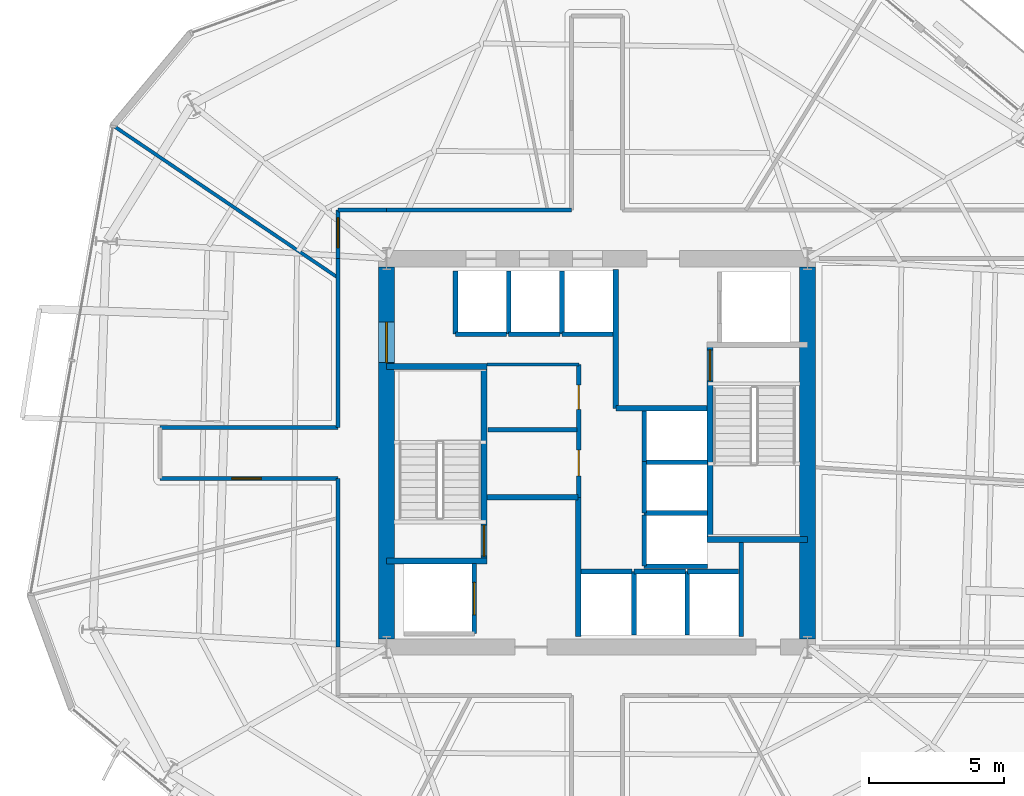
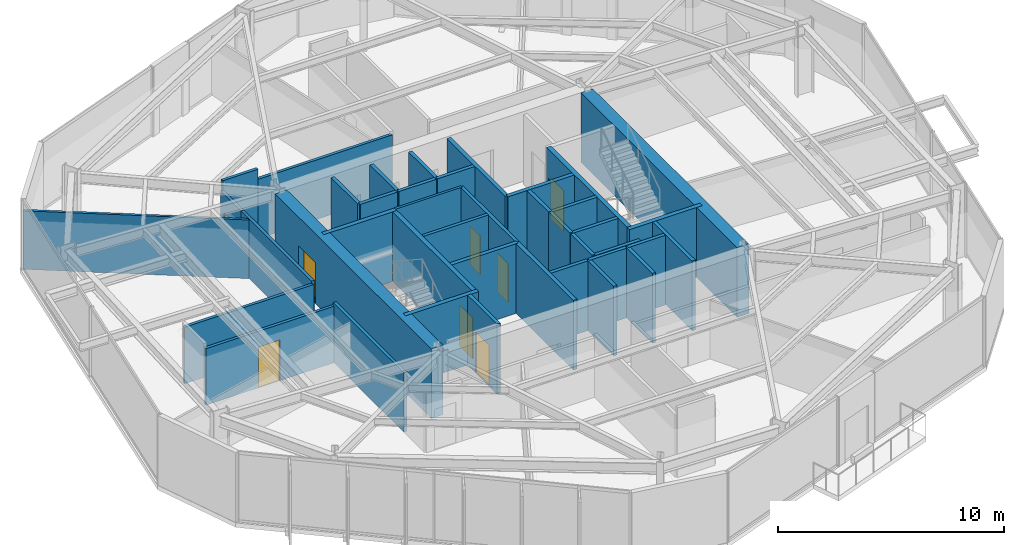
# One storey, part 7 of 13: 41 walls, 8 doors, 8 openings.
"""IFC4 building model written with IfcOpenShell, lengths in metres."""

from ifc_helpers import new_model, si_unit, direction, frame, frame_2d, origin, place, context, subcontext, project, spatial, rectangle, extrude, material, layer, layer_set, type_object, element, fill, save


model = new_model("IFC4")

# Units and contexts
model_context = context("Model", 3, precision=1e-05, world=origin(), true_north=direction((0.0, 1.0)))
body_context = subcontext(model_context, "Body", "Model", "MODEL_VIEW")
ifc_project = project(units=[si_unit("LENGTHUNIT", "METRE"), si_unit("AREAUNIT", "SQUARE_METRE"), si_unit("VOLUMEUNIT", "CUBIC_METRE"), si_unit("PLANEANGLEUNIT", "RADIAN"), si_unit("MASSUNIT", "GRAM", prefix="KILO")], contexts=[model_context])

# Site, building, storey
site_placement = place(None, origin())
site = spatial("IfcSite", under=ifc_project, at=site_placement, CompositionType="ELEMENT")
building_placement = place(site_placement, origin())
building = spatial("IfcBuilding", under=site, at=building_placement, Name="Kranzbogen Civic Tower", CompositionType="ELEMENT")
storey_placement = place(building_placement, frame((0.0, 0.0, 102.39990234375)))
storey = spatial("IfcBuildingStorey", under=building, at=storey_placement, Name="L24", CompositionType="ELEMENT", Elevation=102.39990234375)

# Wall
ifc_material_1 = material(Name="Double-Stud Acoustic Gypsum Partition")
ifc_layer_1 = layer(ifc_material_1, 0.14990234375, Name="Double-Stud Acoustic Gypsum Partition")
ifc_layer_set_1 = layer_set([ifc_layer_1], Name="Double-Stud Acoustic Gypsum Partition")
wall_type_1 = type_object("IfcWallType", Name="Acoustic Corridor and Clinical Partition 150 mm", PredefinedType="PARTITIONING", material=ifc_layer_set_1)
wall_1_placement = place(storey_placement, frame((15.39990234375, 17.800048828125, 0.0), z_axis=(0.0, 0.0, 1.0), x_axis=(0.0, 1.0, 0.0)))
element("IfcWall", 1, at=wall_1_placement, inside=storey, type_object=wall_type_1, Name="L24 corridor partition 03", PredefinedType="PARTITIONING", context=body_context, shape_type="SweptSolid", body=[
    extrude(rectangle(XDim=6.25, YDim=0.14990234375, at=frame_2d((3.125, 0.0))), origin(), (0.0, 0.0, 1.0), 3.210205078125),
])

# Wall, opening, door
wall_2_placement = place(storey_placement, frame((15.39990234375, 24.050048828125, 0.0), z_axis=(0.0, 0.0, 1.0), x_axis=(-1.0, 0.0, 0.0)))
wall_2 = element("IfcWall", 2, at=wall_2_placement, inside=storey, type_object=wall_type_1, Name="L24 corridor partition 04", PredefinedType="PARTITIONING", context=body_context, shape_type="SweptSolid", body=[
    extrude(rectangle(XDim=6.599853515625, YDim=0.14990234375, at=frame_2d((3.2998046875, 0.0))), origin(), (0.0, 0.0, 1.0), 3.050048828125),
])
opening_1_placement = place(wall_2_placement, frame((2.839111328125, 0.0, 0.0)))
opening_1 = element("IfcOpeningElement", 3, at=opening_1_placement, cuts=wall_2, Name="Opening D-COR60", PredefinedType="OPENING", context=body_context, shape_type="SweptSolid", body=[
    extrude(rectangle(XDim=1.10009765625, YDim=2.199951171875, at=frame_2d((0.550048828125, 1.10009765625))), frame((0.0, 0.0849609375, 0.0), z_axis=(0.0, -1.0, 0.0), x_axis=(1.0, 0.0, 0.0)), (0.0, 0.0, 1.0), 0.169921875),
])
ifc_material_2 = material(Name="Oak Timber and Fire Core", Category="wood")
door_type_1 = type_object("IfcDoorType", Name="Corridor Acoustic Fire Door 1100x2200", OperationType="NOTDEFINED", PredefinedType="DOOR", material=ifc_material_2)
door_1_placement = place(opening_1_placement, origin())
door_1 = element("IfcDoor", 4, at=door_1_placement, inside=storey, type_object=door_type_1, Name="L24 Staff Tea Pantry door", OperationType="SINGLE_SWING_LEFT", OverallHeight=2.199951171875, OverallWidth=1.10009765625, PredefinedType="DOOR", context=body_context, shape_type="SweptSolid", body=[
    extrude(rectangle(XDim=1.10009765625, YDim=2.199951171875, at=frame_2d((0.550048828125, 1.10009765625))), frame((0.0, 0.02490234375, 0.0), z_axis=(0.0, -1.0, 0.0), x_axis=(1.0, 0.0, 0.0)), (0.0, 0.0, 1.0), 0.050048828125),
])
fill(opening_1, door_1)

# Walls
wall_3_placement = place(storey_placement, frame((8.800048828125, 25.949951171875, 0.0), z_axis=(0.0, 0.0, 1.0), x_axis=(1.0, 0.0, 0.0)))
element("IfcWall", 5, at=wall_3_placement, inside=storey, type_object=wall_type_1, Name="L24 corridor partition 06", PredefinedType="PARTITIONING", context=body_context, shape_type="SweptSolid", body=[
    extrude(rectangle(XDim=6.599853515625, YDim=0.14990234375, at=frame_2d((3.2998046875, 0.0))), origin(), (0.0, 0.0, 1.0), 3.050048828125),
])
wall_4_placement = place(storey_placement, frame((15.39990234375, 25.949951171875, 0.0), z_axis=(0.0, 0.0, 1.0), x_axis=(0.0, 1.0, 0.0)))
element("IfcWall", 6, at=wall_4_placement, inside=storey, type_object=wall_type_1, Name="L24 corridor partition 07", PredefinedType="PARTITIONING", context=body_context, shape_type="SweptSolid", body=[
    extrude(rectangle(XDim=6.25, YDim=0.14990234375, at=frame_2d((3.125, 0.0))), origin(), (0.0, 0.0, 1.0), 3.210205078125),
])

# Wall, opening, door
wall_5_placement = place(storey_placement, frame((15.39990234375, 32.199951171875, 0.0), z_axis=(0.0, 0.0, 1.0), x_axis=(0.0, 1.0, 0.0)))
wall_5 = element("IfcWall", 7, at=wall_5_placement, inside=storey, type_object=wall_type_1, Name="L24 corridor partition 08", PredefinedType="PARTITIONING", context=body_context, shape_type="SweptSolid", body=[
    extrude(rectangle(XDim=1.800048828125, YDim=0.14990234375, at=frame_2d((0.89990234375, 0.0))), origin(), (0.0, 0.0, 1.0), 3.210205078125),
])
opening_2_placement = place(wall_5_placement, frame((0.4130859375, 0.0, 0.0)))
opening_2 = element("IfcOpeningElement", 8, at=opening_2_placement, cuts=wall_5, Name="Opening D-COR60", PredefinedType="OPENING", context=body_context, shape_type="SweptSolid", body=[
    extrude(rectangle(XDim=1.10009765625, YDim=2.199951171875, at=frame_2d((0.550048828125, 1.10009765625))), frame((0.0, 0.0849609375, 0.0), z_axis=(0.0, -1.0, 0.0), x_axis=(1.0, 0.0, 0.0)), (0.0, 0.0, 1.0), 0.169921875),
])
door_2_placement = place(opening_2_placement, origin())
door_2 = element("IfcDoor", 9, at=door_2_placement, inside=storey, type_object=door_type_1, Name="L24 Cultural Screening Clubroom door", OperationType="SINGLE_SWING_RIGHT", OverallHeight=2.199951171875, OverallWidth=1.10009765625, PredefinedType="DOOR", context=body_context, shape_type="SweptSolid", body=[
    extrude(rectangle(XDim=1.10009765625, YDim=2.199951171875, at=frame_2d((0.550048828125, 1.10009765625))), frame((0.0, 0.02490234375, 0.0), z_axis=(0.0, -1.0, 0.0), x_axis=(1.0, 0.0, 0.0)), (0.0, 0.0, 1.0), 0.050048828125),
])
fill(opening_2, door_2)

# Walls
wall_6_placement = place(storey_placement, frame((15.39990234375, 34.0, 0.0), z_axis=(0.0, 0.0, 1.0), x_axis=(1.0, 0.0, 0.0)))
element("IfcWall", 10, at=wall_6_placement, inside=storey, type_object=wall_type_1, Name="L24 corridor partition 09", PredefinedType="PARTITIONING", context=body_context, shape_type="SweptSolid", body=[
    extrude(rectangle(XDim=1.800048828125, YDim=0.14990234375, at=frame_2d((0.89990234375, 0.0))), origin(), (0.0, 0.0, 1.0), 3.760009765625),
])
wall_7_placement = place(storey_placement, frame((17.199951171875, 34.0, 0.0), z_axis=(0.0, 0.0, 1.0), x_axis=(1.0, 0.0, 0.0)))
element("IfcWall", 11, at=wall_7_placement, inside=storey, type_object=wall_type_1, Name="L24 corridor partition 10", PredefinedType="PARTITIONING", context=body_context, shape_type="SweptSolid", body=[
    extrude(rectangle(XDim=6.85009765625, YDim=0.14990234375, at=frame_2d((3.425048828125, 0.0))), origin(), (0.0, 0.0, 1.0), 3.210205078125),
])
ifc_material_3 = material(Name="Insulated Metal-Stud Gypsum Partition")
ifc_layer_2 = layer(ifc_material_3, 0.125, Name="Insulated Metal-Stud Gypsum Partition")
ifc_layer_set_2 = layer_set([ifc_layer_2], Name="Insulated Metal-Stud Gypsum Partition")
wall_type_2 = type_object("IfcWallType", Name="Acoustic Inter-Room Partition 125 mm", PredefinedType="PARTITIONING", material=ifc_layer_set_2)
wall_8_placement = place(storey_placement, frame((20.919921875, 28.280029296875, 0.0), z_axis=(0.0, 0.0, 1.0), x_axis=(1.0, 0.0, 0.0)))
element("IfcWall", 12, at=wall_8_placement, inside=storey, type_object=wall_type_2, Name="L24 core auxiliary North wall", PredefinedType="PARTITIONING", context=body_context, shape_type="SweptSolid", body=[
    extrude(rectangle(XDim=3.405029296875, YDim=0.125, at=frame_2d((1.70263671875, 0.0))), origin(), (0.0, 0.0, 1.0), 3.760009765625),
])
wall_9_placement = place(storey_placement, frame((15.39990234375, 31.493896484375, 0.0), z_axis=(0.0, 0.0, 1.0), x_axis=(-0.828304308863, 0.560278477116, 0.0)))
element("IfcWall", 13, at=wall_9_placement, inside=storey, type_object=wall_type_2, Name="L24 radial room partition 03", PredefinedType="PARTITIONING", context=body_context, shape_type="SweptSolid", body=[
    extrude(rectangle(XDim=10.047119140625, YDim=0.125, at=frame_2d((5.0234375, 0.0))), origin(), (0.0, 0.0, 1.0), 3.16015625),
])

# Wall, opening, door
ifc_material_4 = material(Name="Concrete C55/67", Category="concrete")
ifc_layer_3 = layer(ifc_material_4, 0.60009765625, Name="Concrete C55/67")
ifc_layer_set_3 = layer_set([ifc_layer_3], Name="Concrete C55/67")
wall_type_3 = type_object("IfcWallType", Name="Central Core Shear Wall 600 mm", PredefinedType="SHEAR", material=ifc_layer_set_3)
wall_10_placement = place(storey_placement, frame((17.199951171875, 31.89990234375, 0.0), z_axis=(0.0, 0.0, 1.0), x_axis=(0.0, -1.0, 0.0)))
wall_10 = element("IfcWall", 14, at=wall_10_placement, inside=storey, type_object=wall_type_3, Name="L24 central core West shear wall", PredefinedType="SHEAR", context=body_context, shape_type="SweptSolid", body=[
    extrude(rectangle(XDim=13.7998046875, YDim=0.60009765625, at=frame_2d((6.89990234375, 0.0))), origin(), (0.0, 0.0, 1.0), 3.760009765625),
])
opening_3_placement = place(wall_10_placement, frame((2.050048828125, 0.0, 0.0)))
opening_3 = element("IfcOpeningElement", 15, at=opening_3_placement, cuts=wall_10, Name="Opening D-DBL15", PredefinedType="OPENING", context=body_context, shape_type="SweptSolid", body=[
    extrude(rectangle(XDim=1.5, YDim=2.199951171875, at=frame_2d((0.75, 1.10009765625))), frame((0.0, 0.31005859375, 0.0), z_axis=(0.0, -1.0, 0.0), x_axis=(1.0, 0.0, 0.0)), (0.0, 0.0, 1.0), 0.6201171875),
])
ifc_material_5 = material(Name="Anodised Bronze and Glass", Category="glass")
door_type_2 = type_object("IfcDoorType", Name="Civic Lobby Double Door 1500x2200", OperationType="DOUBLE_DOOR_SINGLE_SWING", PredefinedType="DOOR", material=ifc_material_5)
door_3_placement = place(opening_3_placement, origin())
door_3 = element("IfcDoor", 16, at=door_3_placement, inside=storey, type_object=door_type_2, Name="L24 Central Lift Lobby West concourse door", OperationType="DOUBLE_DOOR_SINGLE_SWING", OverallHeight=2.199951171875, OverallWidth=1.5, PredefinedType="DOOR", context=body_context, shape_type="SweptSolid", body=[
    extrude(rectangle(XDim=1.5, YDim=2.199951171875, at=frame_2d((0.75, 1.10009765625))), frame((0.0, 0.02490234375, 0.0), z_axis=(0.0, -1.0, 0.0), x_axis=(1.0, 0.0, 0.0)), (0.0, 0.0, 1.0), 0.050048828125),
])
fill(opening_3, door_3)

# Wall
wall_11_placement = place(storey_placement, frame((32.800048828125, 18.10009765625, 0.0), z_axis=(0.0, 0.0, 1.0), x_axis=(0.0, 1.0, 0.0)))
element("IfcWall", 17, at=wall_11_placement, inside=storey, type_object=wall_type_3, Name="L24 central core East shear wall", PredefinedType="SHEAR", context=body_context, shape_type="SweptSolid", body=[
    extrude(rectangle(XDim=13.7998046875, YDim=0.60009765625, at=frame_2d((6.89990234375, 0.0))), origin(), (0.0, 0.0, 1.0), 3.760009765625),
])

# Wall, opening, door
ifc_material_6 = material(Name="Concrete C45/55", Category="concrete")
ifc_layer_4 = layer(ifc_material_6, 0.219970703125, Name="Concrete C45/55")
ifc_layer_set_4 = layer_set([ifc_layer_4], Name="Concrete C45/55")
wall_type_4 = type_object("IfcWallType", Name="Core Internal Stair Structural Wall 220 mm", PredefinedType="SOLIDWALL", material=ifc_layer_set_4)
wall_12_placement = place(storey_placement, frame((20.81005859375, 20.989990234375, 0.0), z_axis=(0.0, 0.0, 1.0), x_axis=(0.0, 1.0, 0.0)))
wall_12 = element("IfcWall", 18, at=wall_12_placement, inside=storey, type_object=wall_type_4, Name="L24 ST-T1 East structural stair wall", PredefinedType="SOLIDWALL", context=body_context, shape_type="SweptSolid", body=[
    extrude(rectangle(XDim=7.219970703125, YDim=0.219970703125, at=frame_2d((3.60986328125, 0.0))), origin(), (0.0, 0.0, 1.0), 3.760009765625),
])
opening_4_placement = place(wall_12_placement, frame((0.179931640625, 0.0, 0.0)))
opening_4 = element("IfcOpeningElement", 19, at=opening_4_placement, cuts=wall_12, Name="Opening D-ST90", PredefinedType="OPENING", context=body_context, shape_type="SweptSolid", body=[
    extrude(rectangle(XDim=1.14990234375, YDim=2.199951171875, at=frame_2d((0.574951171875, 1.10009765625))), frame((0.0, 0.1201171875, 0.0), z_axis=(0.0, -1.0, 0.0), x_axis=(1.0, 0.0, 0.0)), (0.0, 0.0, 1.0), 0.239990234375),
])
ifc_material_7 = material(Name="Steel S355", Category="steel")
door_type_3 = type_object("IfcDoorType", Name="Pressurized Stair and Lobby Fire Door 1150x2200", OperationType="NOTDEFINED", PredefinedType="DOOR", material=ifc_material_7)
door_4_placement = place(opening_4_placement, origin())
door_4 = element("IfcDoor", 20, at=door_4_placement, inside=storey, type_object=door_type_3, Name="L24 Stair ST-T1 fire door", OperationType="SINGLE_SWING_RIGHT", OverallHeight=2.199951171875, OverallWidth=1.14990234375, PredefinedType="DOOR", context=body_context, shape_type="SweptSolid", body=[
    extrude(rectangle(XDim=1.14990234375, YDim=2.199951171875, at=frame_2d((0.574951171875, 1.10009765625))), frame((0.0, 0.02490234375, 0.0), z_axis=(0.0, -1.0, 0.0), x_axis=(1.0, 0.0, 0.0)), (0.0, 0.0, 1.0), 0.050048828125),
])
fill(opening_4, door_4)

# Walls
for number, where, z_axis, x_axis, name in (
    (21, (17.199951171875, 20.989990234375, 0.0), (0.0, 0.0, 1.0), (1.0, 0.0, 0.0), "L24 ST-T1 South structural stair wall"),
    (22, (17.199951171875, 28.2099609375, 0.0), (0.0, 0.0, 1.0), (1.0, 0.0, 0.0), "L24 ST-T1 North structural stair wall"),
):
    element("IfcWall", number, at=place(storey_placement, frame(where, z_axis=z_axis, x_axis=x_axis)), inside=storey, type_object=wall_type_4, Name=name, PredefinedType="SOLIDWALL", context=body_context, shape_type="SweptSolid", body=[
        extrude(rectangle(XDim=3.719970703125, YDim=0.219970703125, at=frame_2d((1.85986328125, 0.0))), origin(), (0.0, 0.0, 1.0), 3.760009765625),
    ])

# Wall, opening, door
wall_13_placement = place(storey_placement, frame((29.18994140625, 21.7900390625, 0.0), z_axis=(0.0, 0.0, 1.0), x_axis=(0.0, 1.0, 0.0)))
wall_13 = element("IfcWall", 23, at=wall_13_placement, inside=storey, type_object=wall_type_4, Name="L24 ST-T2 West structural stair wall", PredefinedType="SOLIDWALL", context=body_context, shape_type="SweptSolid", body=[
    extrude(rectangle(XDim=7.219970703125, YDim=0.219970703125, at=frame_2d((3.60986328125, 0.0))), origin(), (0.0, 0.0, 1.0), 3.760009765625),
])
opening_5_placement = place(wall_13_placement, frame((5.8798828125, 0.0, 0.0)))
opening_5 = element("IfcOpeningElement", 24, at=opening_5_placement, cuts=wall_13, Name="Opening D-ST90", PredefinedType="OPENING", context=body_context, shape_type="SweptSolid", body=[
    extrude(rectangle(XDim=1.14990234375, YDim=2.199951171875, at=frame_2d((0.574951171875, 1.10009765625))), frame((0.0, 0.1201171875, 0.0), z_axis=(0.0, -1.0, 0.0), x_axis=(1.0, 0.0, 0.0)), (0.0, 0.0, 1.0), 0.239990234375),
])
door_5_placement = place(opening_5_placement, origin())
door_5 = element("IfcDoor", 25, at=door_5_placement, inside=storey, type_object=door_type_3, Name="L24 Stair ST-T2 fire door", OperationType="SINGLE_SWING_LEFT", OverallHeight=2.199951171875, OverallWidth=1.14990234375, PredefinedType="DOOR", context=body_context, shape_type="SweptSolid", body=[
    extrude(rectangle(XDim=1.14990234375, YDim=2.199951171875, at=frame_2d((0.574951171875, 1.10009765625))), frame((0.0, 0.02490234375, 0.0), z_axis=(0.0, -1.0, 0.0), x_axis=(1.0, 0.0, 0.0)), (0.0, 0.0, 1.0), 0.050048828125),
])
fill(opening_5, door_5)

# Walls
wall_14_placement = place(storey_placement, frame((29.080078125, 21.7900390625, 0.0), z_axis=(0.0, 0.0, 1.0), x_axis=(1.0, 0.0, 0.0)))
element("IfcWall", 26, at=wall_14_placement, inside=storey, type_object=wall_type_4, Name="L24 ST-T2 South structural stair wall", PredefinedType="SOLIDWALL", context=body_context, shape_type="SweptSolid", body=[
    extrude(rectangle(XDim=3.719970703125, YDim=0.219970703125, at=frame_2d((1.85986328125, 0.0))), origin(), (0.0, 0.0, 1.0), 3.760009765625),
])
ifc_material_8 = material(Name="Gypsum Fireboard and Concrete Block", Category="concrete")
ifc_layer_5 = layer(ifc_material_8, 0.199951171875, Name="Gypsum Fireboard and Concrete Block")
ifc_layer_set_5 = layer_set([ifc_layer_5], Name="Gypsum Fireboard and Concrete Block")
wall_type_5 = type_object("IfcWallType", Name="Fire-Rated Exit Passageway and Stair Wall 200 mm", PredefinedType="PARTITIONING", material=ifc_layer_set_5)
wall_15_placement = place(storey_placement, frame((24.300048828125, 18.199951171875, 0.0), z_axis=(0.0, 0.0, 1.0), x_axis=(0.0, 1.0, 0.0)))
element("IfcWall", 27, at=wall_15_placement, inside=storey, type_object=wall_type_5, Name="L24 West firefighting lobby East wall", PredefinedType="PARTITIONING", context=body_context, shape_type="SweptSolid", body=[
    extrude(rectangle(XDim=5.150146484375, YDim=0.199951171875, at=frame_2d((2.5751953125, 0.0))), origin(), (0.0, 0.0, 1.0), 3.760009765625),
])
wall_16_placement = place(storey_placement, frame((20.919921875, 23.35009765625, 0.0), z_axis=(0.0, 0.0, 1.0), x_axis=(1.0, 0.0, 0.0)))
element("IfcWall", 28, at=wall_16_placement, inside=storey, type_object=wall_type_5, Name="L24 West firefighting lobby North wall", PredefinedType="PARTITIONING", context=body_context, shape_type="SweptSolid", body=[
    extrude(rectangle(XDim=3.380126953125, YDim=0.199951171875, at=frame_2d((1.68994140625, 0.0))), origin(), (0.0, 0.0, 1.0), 3.760009765625),
])
wall_17_placement = place(storey_placement, frame((25.699951171875, 26.64990234375, 0.0), z_axis=(0.0, 0.0, 1.0), x_axis=(0.0, 1.0, 0.0)))
element("IfcWall", 29, at=wall_17_placement, inside=storey, type_object=wall_type_5, Name="L24 East firefighting lobby West wall", PredefinedType="PARTITIONING", context=body_context, shape_type="SweptSolid", body=[
    extrude(rectangle(XDim=5.150146484375, YDim=0.199951171875, at=frame_2d((2.5751953125, 0.0))), origin(), (0.0, 0.0, 1.0), 3.760009765625),
])
wall_18_placement = place(storey_placement, frame((25.699951171875, 26.64990234375, 0.0), z_axis=(0.0, 0.0, 1.0), x_axis=(1.0, 0.0, 0.0)))
element("IfcWall", 30, at=wall_18_placement, inside=storey, type_object=wall_type_5, Name="L24 East firefighting lobby South wall", PredefinedType="PARTITIONING", context=body_context, shape_type="SweptSolid", body=[
    extrude(rectangle(XDim=3.380126953125, YDim=0.199951171875, at=frame_2d((1.68994140625, 0.0))), origin(), (0.0, 0.0, 1.0), 3.760009765625),
])
ifc_material_9 = material(Name="Gypsum Fireboard Shaftliner")
ifc_layer_6 = layer(ifc_material_9, 0.175048828125, Name="Gypsum Fireboard Shaftliner")
ifc_layer_set_6 = layer_set([ifc_layer_6], Name="Gypsum Fireboard Shaftliner")
wall_type_6 = type_object("IfcWallType", Name="Fire-Rated Lift and Service Shaft Wall 175 mm", PredefinedType="PARTITIONING", material=ifc_layer_set_6)
wall_19_placement = place(storey_placement, frame((30.35009765625, 18.199951171875, 0.0), z_axis=(0.0, 0.0, 1.0), x_axis=(0.0, 1.0, 0.0)))
element("IfcWall", 31, at=wall_19_placement, inside=storey, type_object=wall_type_6, Name="L24 East core riser West wall", PredefinedType="PARTITIONING", context=body_context, shape_type="SweptSolid", body=[
    extrude(rectangle(XDim=3.47998046875, YDim=0.175048828125, at=frame_2d((1.739990234375, 0.0))), origin(), (0.0, 0.0, 1.0), 3.760009765625),
])
wall_20_placement = place(storey_placement, frame((24.39990234375, 20.60009765625, 0.0), z_axis=(0.0, 0.0, 1.0), x_axis=(1.0, 0.0, 0.0)))
element("IfcWall", 32, at=wall_20_placement, inside=storey, type_object=wall_type_6, Name="L24 lift LP-01 rear wall", PredefinedType="PARTITIONING", context=body_context, shape_type="SweptSolid", body=[
    extrude(rectangle(XDim=1.900146484375, YDim=0.175048828125, at=frame_2d((0.9501953125, 0.0))), origin(), (0.0, 0.0, 1.0), 3.760009765625),
])
wall_21_placement = place(storey_placement, frame((26.375, 20.60009765625, 0.0), z_axis=(0.0, 0.0, 1.0), x_axis=(1.0, 0.0, 0.0)))
element("IfcWall", 33, at=wall_21_placement, inside=storey, type_object=wall_type_6, Name="L24 lift LP-02 rear wall", PredefinedType="PARTITIONING", context=body_context, shape_type="SweptSolid", body=[
    extrude(rectangle(XDim=1.89990234375, YDim=0.175048828125, at=frame_2d((0.949951171875, 0.0))), origin(), (0.0, 0.0, 1.0), 3.760009765625),
])
wall_22_placement = place(storey_placement, frame((26.375, 18.25, 0.0), z_axis=(0.0, 0.0, 1.0), x_axis=(0.0, 1.0, 0.0)))
element("IfcWall", 34, at=wall_22_placement, inside=storey, type_object=wall_type_6, Name="L24 lift LP-02 side wall", PredefinedType="PARTITIONING", context=body_context, shape_type="SweptSolid", body=[
    extrude(rectangle(XDim=2.35009765625, YDim=0.175048828125, at=frame_2d((1.175048828125, 0.0))), origin(), (0.0, 0.0, 1.0), 3.760009765625),
])
wall_23_placement = place(storey_placement, frame((28.35009765625, 20.60009765625, 0.0), z_axis=(0.0, 0.0, 1.0), x_axis=(1.0, 0.0, 0.0)))
element("IfcWall", 35, at=wall_23_placement, inside=storey, type_object=wall_type_6, Name="L24 lift LP-03 rear wall", PredefinedType="PARTITIONING", context=body_context, shape_type="SweptSolid", body=[
    extrude(rectangle(XDim=1.89990234375, YDim=0.175048828125, at=frame_2d((0.949951171875, 0.0))), origin(), (0.0, 0.0, 1.0), 3.760009765625),
])
wall_24_placement = place(storey_placement, frame((28.35009765625, 18.25, 0.0), z_axis=(0.0, 0.0, 1.0), x_axis=(0.0, 1.0, 0.0)))
element("IfcWall", 36, at=wall_24_placement, inside=storey, type_object=wall_type_6, Name="L24 lift LP-03 side wall", PredefinedType="PARTITIONING", context=body_context, shape_type="SweptSolid", body=[
    extrude(rectangle(XDim=2.35009765625, YDim=0.175048828125, at=frame_2d((1.175048828125, 0.0))), origin(), (0.0, 0.0, 1.0), 3.760009765625),
])
wall_25_placement = place(storey_placement, frame((19.75, 29.39990234375, 0.0), z_axis=(0.0, 0.0, 1.0), x_axis=(1.0, 0.0, 0.0)))
element("IfcWall", 37, at=wall_25_placement, inside=storey, type_object=wall_type_6, Name="L24 lift MP-01 rear wall", PredefinedType="PARTITIONING", context=body_context, shape_type="SweptSolid", body=[
    extrude(rectangle(XDim=1.89990234375, YDim=0.175048828125, at=frame_2d((0.949951171875, 0.0))), origin(), (0.0, 0.0, 1.0), 3.760009765625),
])
wall_26_placement = place(storey_placement, frame((19.75, 29.39990234375, 0.0), z_axis=(0.0, 0.0, 1.0), x_axis=(0.0, 1.0, 0.0)))
element("IfcWall", 38, at=wall_26_placement, inside=storey, type_object=wall_type_6, Name="L24 lift MP-01 side wall", PredefinedType="PARTITIONING", context=body_context, shape_type="SweptSolid", body=[
    extrude(rectangle(XDim=2.35009765625, YDim=0.175048828125, at=frame_2d((1.175048828125, 0.0))), origin(), (0.0, 0.0, 1.0), 3.760009765625),
])
wall_27_placement = place(storey_placement, frame((21.72509765625, 29.39990234375, 0.0), z_axis=(0.0, 0.0, 1.0), x_axis=(1.0, 0.0, 0.0)))
element("IfcWall", 39, at=wall_27_placement, inside=storey, type_object=wall_type_6, Name="L24 lift MP-02 rear wall", PredefinedType="PARTITIONING", context=body_context, shape_type="SweptSolid", body=[
    extrude(rectangle(XDim=1.89990234375, YDim=0.175048828125, at=frame_2d((0.949951171875, 0.0))), origin(), (0.0, 0.0, 1.0), 3.760009765625),
])
wall_28_placement = place(storey_placement, frame((21.72509765625, 29.39990234375, 0.0), z_axis=(0.0, 0.0, 1.0), x_axis=(0.0, 1.0, 0.0)))
element("IfcWall", 40, at=wall_28_placement, inside=storey, type_object=wall_type_6, Name="L24 lift MP-02 side wall", PredefinedType="PARTITIONING", context=body_context, shape_type="SweptSolid", body=[
    extrude(rectangle(XDim=2.35009765625, YDim=0.175048828125, at=frame_2d((1.175048828125, 0.0))), origin(), (0.0, 0.0, 1.0), 3.760009765625),
])
wall_29_placement = place(storey_placement, frame((23.699951171875, 29.39990234375, 0.0), z_axis=(0.0, 0.0, 1.0), x_axis=(1.0, 0.0, 0.0)))
element("IfcWall", 41, at=wall_29_placement, inside=storey, type_object=wall_type_6, Name="L24 lift MP-03 rear wall", PredefinedType="PARTITIONING", context=body_context, shape_type="SweptSolid", body=[
    extrude(rectangle(XDim=1.900146484375, YDim=0.175048828125, at=frame_2d((0.9501953125, 0.0))), origin(), (0.0, 0.0, 1.0), 3.760009765625),
])
wall_30_placement = place(storey_placement, frame((23.699951171875, 29.39990234375, 0.0), z_axis=(0.0, 0.0, 1.0), x_axis=(0.0, 1.0, 0.0)))
element("IfcWall", 42, at=wall_30_placement, inside=storey, type_object=wall_type_6, Name="L24 lift MP-03 side wall", PredefinedType="PARTITIONING", context=body_context, shape_type="SweptSolid", body=[
    extrude(rectangle(XDim=2.35009765625, YDim=0.175048828125, at=frame_2d((1.175048828125, 0.0))), origin(), (0.0, 0.0, 1.0), 3.760009765625),
])
wall_31_placement = place(storey_placement, frame((26.75, 20.800048828125, 0.0), z_axis=(0.0, 0.0, 1.0), x_axis=(0.0, 1.0, 0.0)))
element("IfcWall", 43, at=wall_31_placement, inside=storey, type_object=wall_type_6, Name="L24 lift HP-01 landing wall", PredefinedType="PARTITIONING", context=body_context, shape_type="SweptSolid", body=[
    extrude(rectangle(XDim=1.89990234375, YDim=0.175048828125, at=frame_2d((0.949951171875, 0.0))), origin(), (0.0, 0.0, 1.0), 3.760009765625),
])
wall_32_placement = place(storey_placement, frame((26.75, 20.800048828125, 0.0), z_axis=(0.0, 0.0, 1.0), x_axis=(1.0, 0.0, 0.0)))
element("IfcWall", 44, at=wall_32_placement, inside=storey, type_object=wall_type_6, Name="L24 lift HP-01 side wall", PredefinedType="PARTITIONING", context=body_context, shape_type="SweptSolid", body=[
    extrude(rectangle(XDim=2.35009765625, YDim=0.175048828125, at=frame_2d((1.175048828125, 0.0))), origin(), (0.0, 0.0, 1.0), 3.760009765625),
])
wall_33_placement = place(storey_placement, frame((26.75, 22.77490234375, 0.0), z_axis=(0.0, 0.0, 1.0), x_axis=(0.0, 1.0, 0.0)))
element("IfcWall", 45, at=wall_33_placement, inside=storey, type_object=wall_type_6, Name="L24 lift HP-02 landing wall", PredefinedType="PARTITIONING", context=body_context, shape_type="SweptSolid", body=[
    extrude(rectangle(XDim=1.900146484375, YDim=0.175048828125, at=frame_2d((0.9501953125, 0.0))), origin(), (0.0, 0.0, 1.0), 3.760009765625),
])
wall_34_placement = place(storey_placement, frame((26.75, 22.77490234375, 0.0), z_axis=(0.0, 0.0, 1.0), x_axis=(1.0, 0.0, 0.0)))
element("IfcWall", 46, at=wall_34_placement, inside=storey, type_object=wall_type_6, Name="L24 lift HP-02 side wall", PredefinedType="PARTITIONING", context=body_context, shape_type="SweptSolid", body=[
    extrude(rectangle(XDim=2.35009765625, YDim=0.175048828125, at=frame_2d((1.175048828125, 0.0))), origin(), (0.0, 0.0, 1.0), 3.760009765625),
])
wall_35_placement = place(storey_placement, frame((26.75, 24.64990234375, 0.0), z_axis=(0.0, 0.0, 1.0), x_axis=(0.0, 1.0, 0.0)))
element("IfcWall", 47, at=wall_35_placement, inside=storey, type_object=wall_type_6, Name="L24 lift HP-03 landing wall", PredefinedType="PARTITIONING", context=body_context, shape_type="SweptSolid", body=[
    extrude(rectangle(XDim=1.900146484375, YDim=0.175048828125, at=frame_2d((0.9501953125, 0.0))), origin(), (0.0, 0.0, 1.0), 3.760009765625),
])
wall_36_placement = place(storey_placement, frame((26.75, 24.64990234375, 0.0), z_axis=(0.0, 0.0, 1.0), x_axis=(1.0, 0.0, 0.0)))
element("IfcWall", 48, at=wall_36_placement, inside=storey, type_object=wall_type_6, Name="L24 lift HP-03 side wall", PredefinedType="PARTITIONING", context=body_context, shape_type="SweptSolid", body=[
    extrude(rectangle(XDim=2.35009765625, YDim=0.175048828125, at=frame_2d((1.175048828125, 0.0))), origin(), (0.0, 0.0, 1.0), 3.760009765625),
])

# Wall, opening, door
wall_37_placement = place(storey_placement, frame((20.449951171875, 18.300048828125, 0.0), z_axis=(0.0, 0.0, 1.0), x_axis=(0.0, 1.0, 0.0)))
wall_37 = element("IfcWall", 49, at=wall_37_placement, inside=storey, type_object=wall_type_6, Name="L24 lift FF-01 landing wall", PredefinedType="PARTITIONING", context=body_context, shape_type="SweptSolid", body=[
    extrude(rectangle(XDim=2.599853515625, YDim=0.175048828125, at=frame_2d((1.2998046875, 0.0))), origin(), (0.0, 0.0, 1.0), 3.760009765625),
])
opening_6_placement = place(wall_37_placement, frame((0.699951171875, 0.0, 0.0)))
opening_6 = element("IfcOpeningElement", 50, at=opening_6_placement, cuts=wall_37, Name="Opening LD-FF-01", PredefinedType="OPENING", context=body_context, shape_type="SweptSolid", body=[
    extrude(rectangle(XDim=1.199951171875, YDim=2.199951171875, at=frame_2d((0.60009765625, 1.10009765625))), frame((0.0, 0.09765625, 0.0), z_axis=(0.0, -1.0, 0.0), x_axis=(1.0, 0.0, 0.0)), (0.0, 0.0, 1.0), 0.195068359375),
])
ifc_material_10 = material(Name="Pale Anodised Aluminium", Category="aluminium")
door_type_4 = type_object("IfcDoorType", Name="Firefighting and Stretcher Lift Sliding Landing Door 1200x2200", OperationType="DOUBLE_DOOR_SLIDING", PredefinedType="DOOR", material=ifc_material_10)
door_6_placement = place(opening_6_placement, origin())
door_6 = element("IfcDoor", 51, at=door_6_placement, inside=storey, type_object=door_type_4, Name="L24 lift FF-01 sliding landing door", OperationType="DOUBLE_DOOR_SLIDING", OverallHeight=2.199951171875, OverallWidth=1.199951171875, PredefinedType="DOOR", context=body_context, shape_type="SweptSolid", body=[
    extrude(rectangle(XDim=1.199951171875, YDim=2.199951171875, at=frame_2d((0.60009765625, 1.10009765625))), frame((0.0, 0.02490234375, 0.0), z_axis=(0.0, -1.0, 0.0), x_axis=(1.0, 0.0, 0.0)), (0.0, 0.0, 1.0), 0.050048828125),
])
fill(opening_6, door_6)

# Wall, openings, doors
ifc_material_11 = material(Name="Moisture-Resistant Gypsum Assembly")
ifc_layer_7 = layer(ifc_material_11, 0.159912109375, Name="Moisture-Resistant Gypsum Assembly")
ifc_layer_set_7 = layer_set([ifc_layer_7], Name="Moisture-Resistant Gypsum Assembly")
wall_type_7 = type_object("IfcWallType", Name="Sanitary and Plumbing Wet Wall 160 mm", PredefinedType="PLUMBINGWALL", material=ifc_layer_set_7)
wall_38_placement = place(storey_placement, frame((24.324951171875, 23.35009765625, 0.0), z_axis=(0.0, 0.0, 1.0), x_axis=(0.0, 1.0, 0.0)))
wall_38 = element("IfcWall", 52, at=wall_38_placement, inside=storey, type_object=wall_type_7, Name="L24 core auxiliary East wall", PredefinedType="PLUMBINGWALL", context=body_context, shape_type="SweptSolid", body=[
    extrude(rectangle(XDim=4.929931640625, YDim=0.159912109375, at=frame_2d((2.46484375, 0.0))), origin(), (0.0, 0.0, 1.0), 3.760009765625),
])
opening_7_placement = place(wall_38_placement, frame((0.800048828125, 0.0, 0.0)))
opening_7 = element("IfcOpeningElement", 53, at=opening_7_placement, cuts=wall_38, Name="Opening D-AWC95", PredefinedType="OPENING", context=body_context, shape_type="SweptSolid", body=[
    extrude(rectangle(XDim=0.949951171875, YDim=2.10009765625, at=frame_2d((0.47509765625, 1.050048828125))), frame((0.0, 0.08984375, 0.0), z_axis=(0.0, -1.0, 0.0), x_axis=(1.0, 0.0, 0.0)), (0.0, 0.0, 1.0), 0.179931640625),
])
opening_8_placement = place(wall_38_placement, frame((3.260009765625, 0.0, 0.0)))
opening_8 = element("IfcOpeningElement", 54, at=opening_8_placement, cuts=wall_38, Name="Opening D-WC90", PredefinedType="OPENING", context=body_context, shape_type="SweptSolid", body=[
    extrude(rectangle(XDim=0.89990234375, YDim=2.10009765625, at=frame_2d((0.449951171875, 1.050048828125))), frame((0.0, 0.08984375, 0.0), z_axis=(0.0, -1.0, 0.0), x_axis=(1.0, 0.0, 0.0)), (0.0, 0.0, 1.0), 0.179931640625),
])
ifc_material_12 = material(Name="Moisture-Resistant Laminate")
door_type_5 = type_object("IfcDoorType", Name="Accessible Restroom Door 950x2100", OperationType="NOTDEFINED", PredefinedType="DOOR", material=ifc_material_12)
door_7_placement = place(opening_7_placement, origin())
door_7 = element("IfcDoor", 55, at=door_7_placement, inside=storey, type_object=door_type_5, Name="L24 Accessible Restroom door", OperationType="SINGLE_SWING_RIGHT", OverallHeight=2.10009765625, OverallWidth=0.949951171875, PredefinedType="DOOR", context=body_context, shape_type="SweptSolid", body=[
    extrude(rectangle(XDim=0.949951171875, YDim=2.10009765625, at=frame_2d((0.47509765625, 1.050048828125))), frame((0.0, 0.02490234375, 0.0), z_axis=(0.0, -1.0, 0.0), x_axis=(1.0, 0.0, 0.0)), (0.0, 0.0, 1.0), 0.050048828125),
])
fill(opening_7, door_7)
door_type_6 = type_object("IfcDoorType", Name="Standard Restroom and Store Door 900x2100", OperationType="NOTDEFINED", PredefinedType="DOOR", material=ifc_material_12)
door_8_placement = place(opening_8_placement, origin())
door_8 = element("IfcDoor", 56, at=door_8_placement, inside=storey, type_object=door_type_6, Name="L24 Staff Restroom door", OperationType="SINGLE_SWING_LEFT", OverallHeight=2.10009765625, OverallWidth=0.89990234375, PredefinedType="DOOR", context=body_context, shape_type="SweptSolid", body=[
    extrude(rectangle(XDim=0.89990234375, YDim=2.10009765625, at=frame_2d((0.449951171875, 1.050048828125))), frame((0.0, 0.02490234375, 0.0), z_axis=(0.0, -1.0, 0.0), x_axis=(1.0, 0.0, 0.0)), (0.0, 0.0, 1.0), 0.050048828125),
])
fill(opening_8, door_8)

# Wall
wall_39_placement = place(storey_placement, frame((20.949951171875, 25.860107421875, 0.0), z_axis=(0.0, 0.0, 1.0), x_axis=(1.0, 0.0, 0.0)))
element("IfcWall", 57, at=wall_39_placement, inside=storey, type_object=wall_type_7, Name="L24 core auxiliary partition 1", PredefinedType="PLUMBINGWALL", context=body_context, shape_type="SweptSolid", body=[
    extrude(rectangle(XDim=3.300048828125, YDim=0.159912109375, at=frame_2d((1.64990234375, 0.0))), origin(), (0.0, 0.0, 1.0), 3.760009765625),
])

save(model, "model.ifc")
